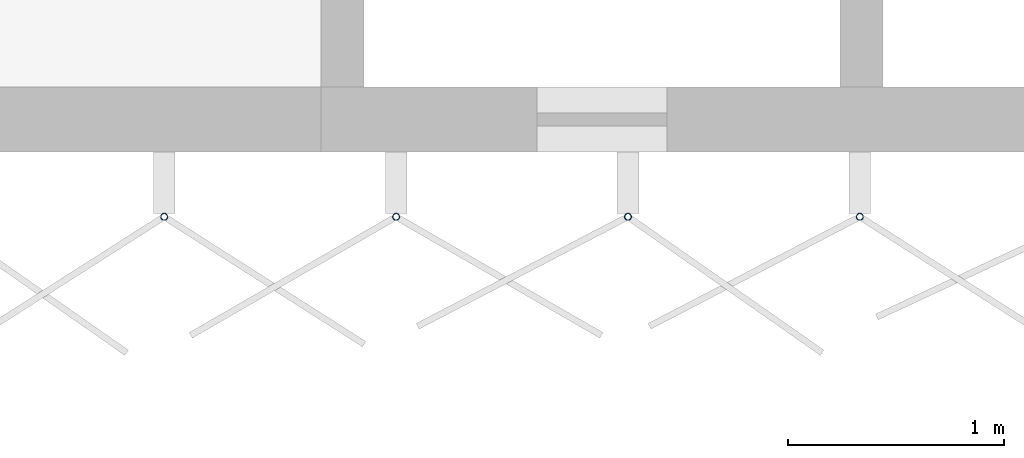
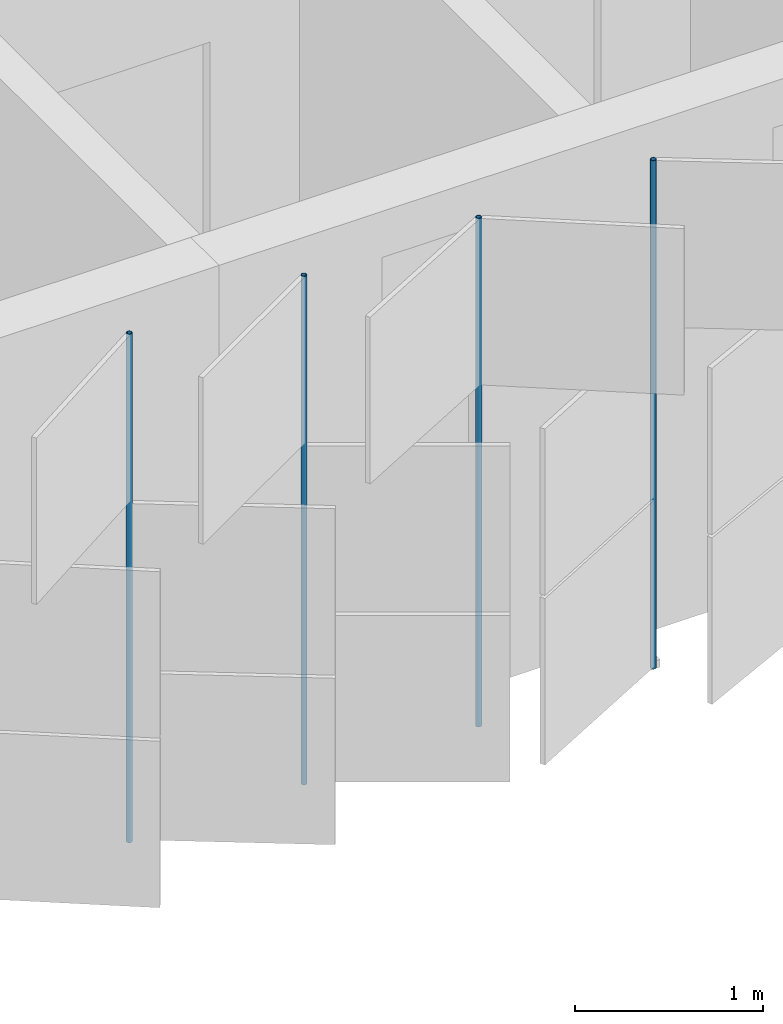
# One storey, part 83 of 198: 4 discrete accessories.
"""IFC4 building model written with IfcOpenShell, lengths in metres."""

import ifcopenshell
import ifcopenshell.guid

model = None  # the IFC model being written
_history = None  # IfcOwnerHistory: only IFC2X3 demands one
_inside = {}  # id of a spatial element -> (the spatial element, [elements in it])
_under = {}  # id of a project, library or spatial element -> (it, [spatial elements below it])
_declared = {}  # id of a project -> (the project, [libraries it declares])
_typed = {}  # id of a type object -> (the type object, [elements of that type])
_made_of = {}  # id of a material, layer set ... -> (it, [elements and type objects made of it])


def new_model(schema):
    """Start an empty IFC model of exactly this schema.

    Asked for "IFC4X3", IfcOpenShell would pick the latest addendum, in which some entities
    have other attributes; the version numbers below select the first issue.
    IFC2X3 requires an IfcOwnerHistory on every rooted entity: one is made here for all.
    """
    global model, _history
    if schema == "IFC4X3":
        model = ifcopenshell.file(schema_version=(4, 3, 0, 0))
    else:
        model = ifcopenshell.file(schema=schema)
    _inside.clear()
    _under.clear()
    _declared.clear()
    _typed.clear()
    _made_of.clear()
    _history = None
    if model.schema == "IFC2X3":
        org = make("IfcOrganization", Name="unknown")
        user = make(
            "IfcPersonAndOrganization",
            ThePerson=make("IfcPerson", FamilyName="unknown"),
            TheOrganization=org,
        )
        app = make(
            "IfcApplication",
            ApplicationDeveloper=org,
            Version="unknown",
            ApplicationFullName="unknown",
            ApplicationIdentifier="unknown",
        )
        _history = make(
            "IfcOwnerHistory",
            OwningUser=user,
            OwningApplication=app,
            ChangeAction="ADDED",
            CreationDate=0,
        )
    return model


def make(cls, **values):
    """One entity of the class cls with the attributes given. An attribute that is None is left unset."""
    return model.create_entity(
        cls, **{name: value for name, value in values.items() if value is not None}
    )


def rooted(cls, **values):
    """An entity with a GlobalId (a new one), such as an element, a storey or a relation."""
    return make(cls, GlobalId=ifcopenshell.guid.new(), OwnerHistory=_history, **values)


def si_unit(unit_type, name, prefix=None):
    """IfcSIUnit, for example si_unit("LENGTHUNIT", "METRE", prefix="MILLI")."""
    return make("IfcSIUnit", UnitType=unit_type, Prefix=prefix, Name=name)


def assignment(units):
    """IfcUnitAssignment: the units of a project."""
    return None if units is None else make("IfcUnitAssignment", Units=units)


def point(xyz):
    """IfcCartesianPoint."""
    return None if xyz is None else make("IfcCartesianPoint", Coordinates=xyz)


def direction(xyz):
    """IfcDirection."""
    return None if xyz is None else make("IfcDirection", DirectionRatios=xyz)


def frame(location, z_axis=None, x_axis=None):
    """IfcAxis2Placement3D, a coordinate frame: its origin and axes. An axis left out is left unset."""
    return make(
        "IfcAxis2Placement3D",
        Location=point(location),
        Axis=direction(z_axis),
        RefDirection=direction(x_axis),
    )


def frame_2d(location, x_axis=None):
    """IfcAxis2Placement2D, a coordinate frame in the plane: its origin and x axis."""
    return make(
        "IfcAxis2Placement2D", Location=point(location), RefDirection=direction(x_axis)
    )


def origin():
    """The frame at (0, 0, 0) with its axes left unset."""
    return frame((0.0, 0.0, 0.0))


def origin_2d():
    """The frame at (0, 0) in the plane with its x axis left unset."""
    return frame_2d((0.0, 0.0))


def place(relative_to, where):
    """IfcLocalPlacement: puts the frame where relative to a parent placement (None: the world)."""
    return make(
        "IfcLocalPlacement", PlacementRelTo=relative_to, RelativePlacement=where
    )


def context(
    kind, dimensions, precision=None, world=None, true_north=None, identifier=None
):
    """IfcGeometricRepresentationContext, for example the 3D "Model" context."""
    return make(
        "IfcGeometricRepresentationContext",
        ContextIdentifier=identifier,
        ContextType=kind,
        CoordinateSpaceDimension=dimensions,
        Precision=precision,
        WorldCoordinateSystem=world,
        TrueNorth=true_north,
    )


def subcontext(parent, identifier, kind, view, scale=None):
    """IfcGeometricRepresentationSubContext, for example "Body" below "Model"."""
    return make(
        "IfcGeometricRepresentationSubContext",
        ContextIdentifier=identifier,
        ContextType=kind,
        ParentContext=parent,
        TargetScale=scale,
        TargetView=view,
    )


def project(units=None, contexts=None):
    """IfcProject with its units and contexts."""
    return rooted(
        "IfcProject",
        Name="project",
        RepresentationContexts=contexts,
        UnitsInContext=assignment(units),
    )


def spatial(cls, under=None, at=None, **own):
    """A site, building, storey or space (cls), placed at a placement, below another one or the project."""
    s = rooted(cls, ObjectPlacement=at, **own)
    if under is not None:
        _under.setdefault(under.id(), (under, []))[1].append(s)
    return s


def profile(cls, at=None, kind="AREA", **sizes):
    """A parametric profile (cls). Its sizes go by their IFC names, for example OverallWidth=200.0."""
    return make(cls, ProfileType=kind, Position=at, **sizes)


def hollow_circle(**sizes):
    """IfcCircleHollowProfileDef."""
    return profile("IfcCircleHollowProfileDef", **sizes)


def extrude(swept, where, along, depth):
    """IfcExtrudedAreaSolid: the profile swept, set in the frame where, extruded along a direction by depth."""
    return make(
        "IfcExtrudedAreaSolid",
        SweptArea=swept,
        Position=where,
        ExtrudedDirection=direction(along),
        Depth=depth,
    )


def shape(context_of_items, identifier, shape_type, items):
    """IfcShapeRepresentation: the items that make up one representation, for example the "Body"."""
    return make(
        "IfcShapeRepresentation",
        ContextOfItems=context_of_items,
        RepresentationIdentifier=identifier,
        RepresentationType=shape_type,
        Items=items,
    )


def material(Name=None, Category=None):
    """IfcMaterial."""
    return make("IfcMaterial", Name=Name, Category=Category)


def material_profile(
    of_material, cross_section, Name=None, Category=None, Priority=None
):
    """IfcMaterialProfile: a cross section and its material."""
    return make(
        "IfcMaterialProfile",
        Name=Name,
        Material=of_material,
        Profile=cross_section,
        Priority=Priority,
        Category=Category,
    )


def profile_set(profiles, Name=None, composite=None):
    """IfcMaterialProfileSet."""
    return make(
        "IfcMaterialProfileSet",
        Name=Name,
        MaterialProfiles=profiles,
        CompositeProfile=composite,
    )


def made_of(thing, what):
    """Note that an element or type object is made of a material, layer set ...; save() writes the relation."""
    if what is not None:
        _made_of.setdefault(what.id(), (what, []))[1].append(thing)
    return thing


def type_object(cls, material=None, **own):
    """A type object (cls), such as IfcWallType, which elements share."""
    return made_of(rooted(cls, **own), material)


def element(
    cls,
    number,
    at=None,
    inside=None,
    cuts=None,
    type_object=None,
    material=None,
    context=None,
    identifier="Body",
    shape_type=None,
    held_by="IfcProductDefinitionShape",
    body=None,
    shapes=None,
    **own,
):
    """One element of the class cls, such as IfcWall. Its Tag is "e" and its number.

    at: its placement. inside: the storey or other place that contains it. cuts: it is an
    opening in that element (IfcRelVoidsElement). A single representation is given by context,
    identifier, shape_type and body (its items); several are given by shapes. held_by: the class
    of the entity that holds the representations. save() writes the other relations.
    """
    e = rooted(cls, Tag="e%d" % number, ObjectPlacement=at, **own)
    if body is not None:
        shapes = [shape(context, identifier, shape_type, body)]
    if shapes is not None:
        e.Representation = make(held_by, Representations=shapes)
    if inside is not None:
        _inside.setdefault(inside.id(), (inside, []))[1].append(e)
    if cuts is not None:
        rooted(
            "IfcRelVoidsElement", RelatingBuildingElement=cuts, RelatedOpeningElement=e
        )
    if type_object is not None:
        _typed.setdefault(type_object.id(), (type_object, []))[1].append(e)
    return made_of(e, material)


def aggregate(whole, parts):
    """IfcRelAggregates: a whole, such as a stair, and the parts it consists of."""
    return rooted("IfcRelAggregates", RelatingObject=whole, RelatedObjects=parts)


def save(model, path):
    """Write the relations noted so far, then the file.

    IfcRelAggregates (storeys below a building ...), IfcRelContainedInSpatialStructure (elements
    in a storey), IfcRelDefinesByType, IfcRelAssociatesMaterial and IfcRelDeclares: one each for
    every whole, place, type object, material and project.
    """
    for whole, parts in _under.values():
        aggregate(whole, parts)
    for where, things in _inside.values():
        rooted(
            "IfcRelContainedInSpatialStructure",
            RelatedElements=things,
            RelatingStructure=where,
        )
    for kind, things in _typed.values():
        rooted("IfcRelDefinesByType", RelatedObjects=things, RelatingType=kind)
    for what, things in _made_of.values():
        rooted("IfcRelAssociatesMaterial", RelatedObjects=things, RelatingMaterial=what)
    for by, libraries in _declared.values():
        rooted("IfcRelDeclares", RelatingContext=by, RelatedDefinitions=libraries)
    model.write(path)


model = new_model("IFC4")

# Units and contexts
model_context = context("Model", 3, precision=1e-05, world=origin(), true_north=direction((0.0, 1.0)))
body_context = subcontext(model_context, "Body", "Model", "MODEL_VIEW")
ifc_project = project(units=[si_unit("LENGTHUNIT", "METRE"), si_unit("AREAUNIT", "SQUARE_METRE"), si_unit("VOLUMEUNIT", "CUBIC_METRE"), si_unit("PLANEANGLEUNIT", "RADIAN"), si_unit("MASSUNIT", "GRAM", prefix="KILO")], contexts=[model_context])

# Site, building, storey
site_placement = place(None, origin())
site = spatial("IfcSite", under=ifc_project, at=site_placement, CompositionType="ELEMENT")
building_placement = place(site_placement, origin())
building = spatial("IfcBuilding", under=site, at=building_placement, Name="Parallax Yard Mobility Hub", CompositionType="ELEMENT")
storey_placement = place(building_placement, frame((0.0, 0.0, 6.60009765625)))
storey = spatial("IfcBuildingStorey", under=building, at=storey_placement, Name="L02", CompositionType="ELEMENT", Elevation=6.60009765625)

# Discrete accessories
ifc_material = material(Name="Steel ASTM A500 Gr C, hot-dip galvanised", Category="steel")
ifc_material_profile = material_profile(ifc_material, hollow_circle(Radius=0.016845703125, WallThickness=0.003173828125, at=origin_2d()), Name="CHS 33.7x3.2")
ifc_profile_set = profile_set([ifc_material_profile], Name="Steel ASTM A500 Gr C, hot-dip galvanised")
discrete_accessory_type = type_object("IfcDiscreteAccessoryType", Name="Hinge post CHS 33.7x3.2", PredefinedType="BRACKET", material=ifc_profile_set)
for number, where, z_axis, x_axis, name in (
    (1, (131.77587890625, 112.199951171875, 0.0), (0.0, 0.0, 1.0), (1.0, 0.0, 0.0), "Hinge post bay 13.5 level L02"),
    (2, (132.84814453125, 112.199951171875, 0.0), (0.0, 0.0, 1.0), (1.0, 0.0, 0.0), "Hinge post bay 13.6 level L02"),
    (3, (133.92041015625, 112.199951171875, 0.0), (0.0, 0.0, 1.0), (1.0, 0.0, 0.0), "Hinge post bay 13.7 level L02"),
    (4, (134.992431640625, 112.199951171875, 0.0), (0.0, 0.0, 1.0), (1.0, 0.0, 0.0), "Hinge post bay 13.8 level L02"),
):
    element("IfcDiscreteAccessory", number, at=place(storey_placement, frame(where, z_axis=z_axis, x_axis=x_axis)), inside=storey, type_object=discrete_accessory_type, Name=name, PredefinedType="BRACKET", context=body_context, shape_type="SweptSolid", body=[
        extrude(hollow_circle(Radius=0.016845703125, WallThickness=0.003173828125, at=origin_2d()), origin(), (0.0, 0.0, 1.0), 3.2998046875),
    ])

save(model, "model.ifc")
